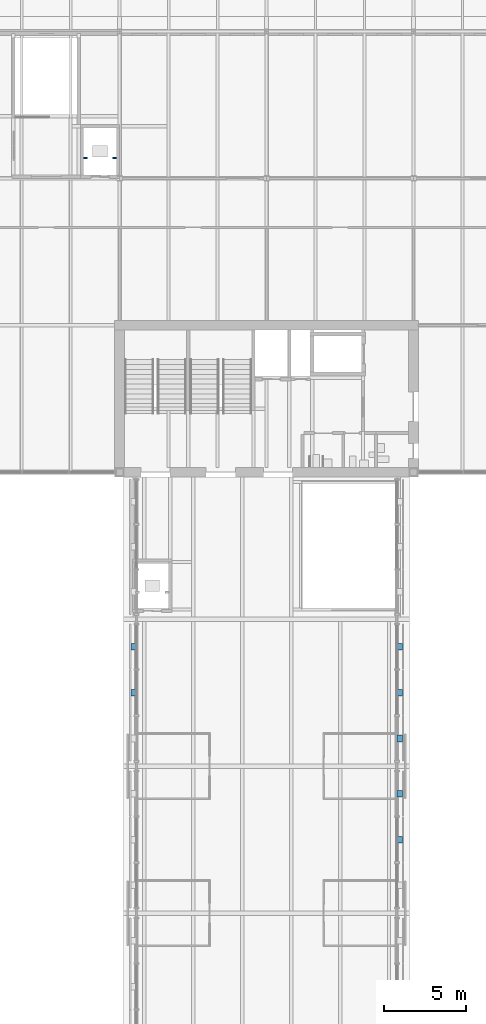
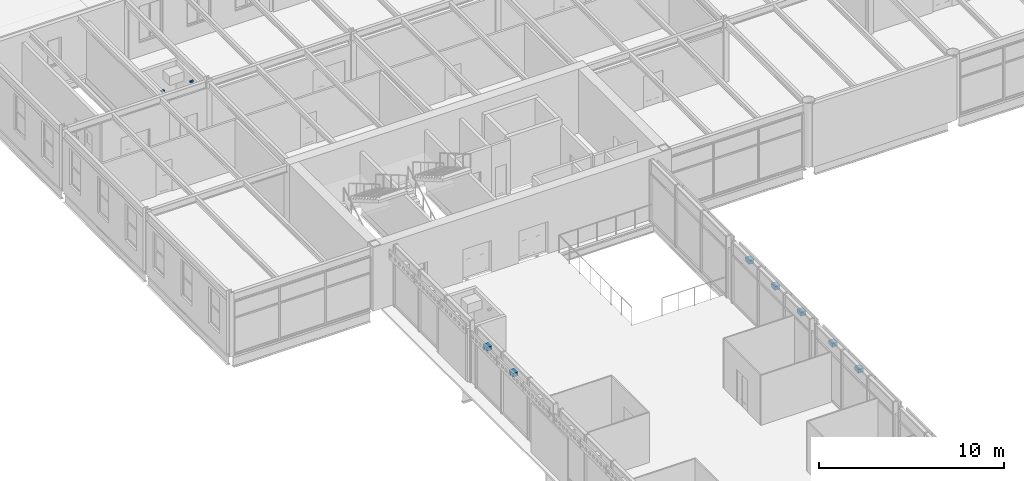
# One storey, part 89 of 123: 9 discrete accessories.
"""IFC4 building model written with IfcOpenShell, lengths in metres."""

from ifc_helpers import new_model, si_unit, direction, frame, origin, origin_2d, place, context, subcontext, project, spatial, rectangle, extrude, material, type_object, element, save


model = new_model("IFC4")

# Units and contexts
model_context = context("Model", 3, precision=1e-05, world=origin(), true_north=direction((0.0, 1.0)))
body_context = subcontext(model_context, "Body", "Model", "MODEL_VIEW")
ifc_project = project(units=[si_unit("LENGTHUNIT", "METRE"), si_unit("AREAUNIT", "SQUARE_METRE"), si_unit("VOLUMEUNIT", "CUBIC_METRE"), si_unit("PLANEANGLEUNIT", "RADIAN"), si_unit("MASSUNIT", "GRAM", prefix="KILO")], contexts=[model_context])

# Site, building, storey
site_placement = place(None, origin())
site = spatial("IfcSite", under=ifc_project, at=site_placement, CompositionType="ELEMENT")
building_placement = place(site_placement, origin())
building = spatial("IfcBuilding", under=site, at=building_placement, Name="Baradari Gate Terminus", CompositionType="ELEMENT")
storey_placement = place(building_placement, frame((0.0, 0.0, 7.5)))
storey = spatial("IfcBuildingStorey", under=building, at=storey_placement, Name="L01", CompositionType="ELEMENT", Elevation=7.5)

# Discrete accessories
ifc_material_1 = material(Name="Stainless steel 316", Category="steel")
discrete_accessory_type_1 = type_object("IfcDiscreteAccessoryType", Name="Jali screen bracket BK-2 stainless steel", PredefinedType="BRACKET", material=ifc_material_1)
for number, where, z_axis, x_axis, name in (
    (1, (72.84619140625, 67.5, 3.449951171875), (0.0, 0.0, 1.0), (-1.0, 0.0, 0.0), "Jali screen bracket BK-2 L01/GW4 bay 2"),
    (2, (72.84619140625, 70.308349609375, 3.449951171875), (0.0, 0.0, 1.0), (-1.0, 0.0, 0.0), "Jali screen bracket BK-2 L01/GW4 bay 3"),
    (3, (89.15380859375, 58.5, 3.449951171875), (0.0, 0.0, 1.0), (1.0, 0.0, 0.0), "Jali screen bracket BK-2 L01/GE3 bay 2"),
    (4, (89.15380859375, 61.308349609375, 3.449951171875), (0.0, 0.0, 1.0), (1.0, 0.0, 0.0), "Jali screen bracket BK-2 L01/GE3 bay 3"),
    (5, (89.15380859375, 64.691650390625, 3.449951171875), (0.0, 0.0, 1.0), (1.0, 0.0, 0.0), "Jali screen bracket BK-2 L01/GE4 bay 1"),
    (6, (89.15380859375, 67.5, 3.449951171875), (0.0, 0.0, 1.0), (1.0, 0.0, 0.0), "Jali screen bracket BK-2 L01/GE4 bay 2"),
    (7, (89.15380859375, 70.308349609375, 3.449951171875), (0.0, 0.0, 1.0), (1.0, 0.0, 0.0), "Jali screen bracket BK-2 L01/GE4 bay 3"),
):
    element("IfcDiscreteAccessory", number, at=place(storey_placement, frame(where, z_axis=z_axis, x_axis=x_axis)), inside=storey, type_object=discrete_accessory_type_1, Name=name, PredefinedType="BRACKET", context=body_context, shape_type="SweptSolid", body=[
        extrude(rectangle(XDim=0.3173828125, YDim=0.39990234375, at=origin_2d()), origin(), (0.0, 0.0, 1.0), 0.25),
    ])
ifc_material_2 = material(Name="Steel S355", Category="steel")
discrete_accessory_type_2 = type_object("IfcDiscreteAccessoryType", Name="Lift rail bracket RB-L1 100x100", PredefinedType="BRACKET", material=ifc_material_2)
for number, where, z_axis, x_axis, name in (
    (8, (69.905029296875, 100.25, 3.25), (0.0, 0.0, 1.0), (1.0, 0.0, 0.0), "Lift rail bracket LH1 1B"),
    (9, (71.695068359375, 100.25, 3.25), (0.0, 0.0, 1.0), (1.0, 0.0, 0.0), "Lift rail bracket LH1 2B"),
):
    element("IfcDiscreteAccessory", number, at=place(storey_placement, frame(where, z_axis=z_axis, x_axis=x_axis)), inside=storey, type_object=discrete_accessory_type_2, Name=name, PredefinedType="BRACKET", context=body_context, shape_type="SweptSolid", body=[
        extrude(rectangle(XDim=0.2099609375, YDim=0.10009765625, at=origin_2d()), origin(), (0.0, 0.0, 1.0), 0.10009765625),
    ])

save(model, "model.ifc")
